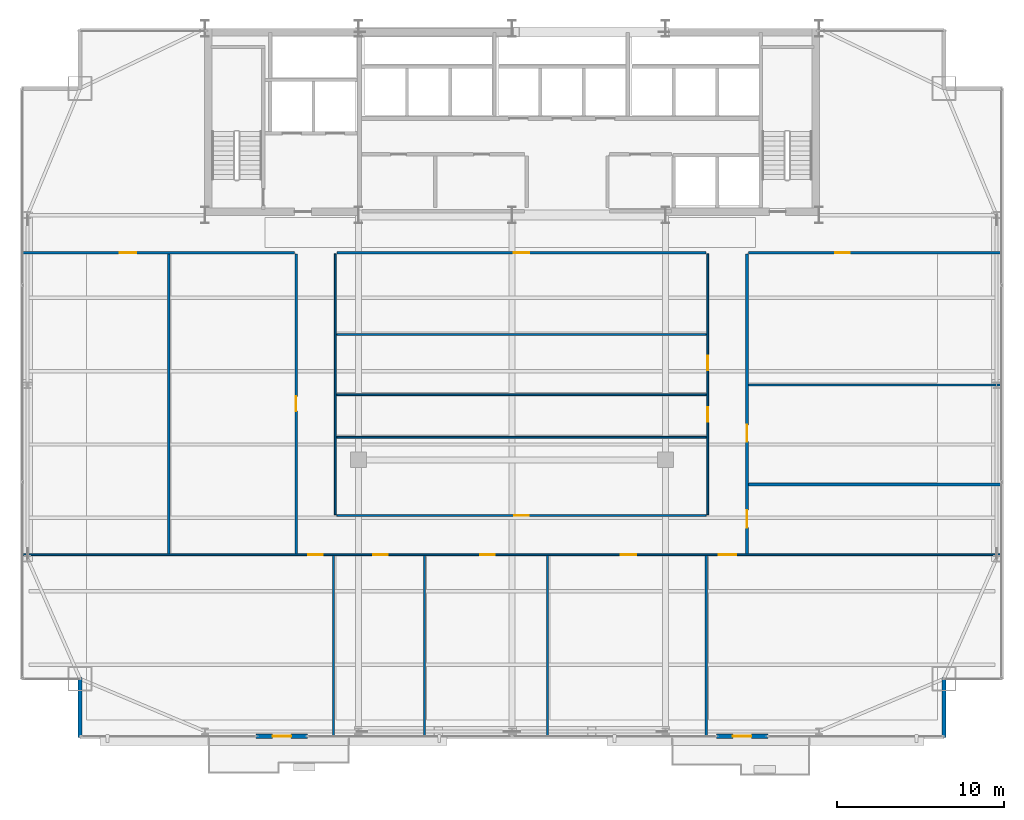
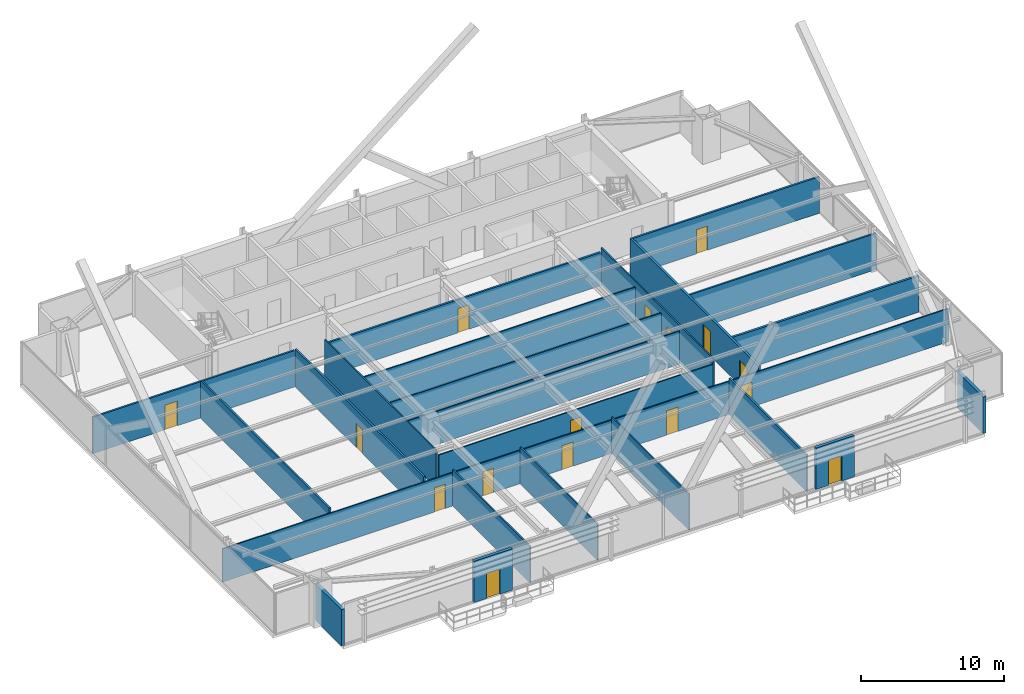
# One storey, part 33 of 37: 23 walls, 16 doors, 16 openings.
"""IFC4 building model written with IfcOpenShell, lengths in metres."""

from ifc_helpers import new_model, si_unit, direction, frame, frame_2d, origin, place, context, subcontext, project, spatial, rectangle, extrude, source, transform, mapped, material, layer, layer_set, type_object, type_shapes, element, fill, save


model = new_model("IFC4")

# Units and contexts
model_context = context("Model", 3, precision=1e-05, world=origin(), true_north=direction((0.0, 1.0)))
body_context = subcontext(model_context, "Body", "Model", "MODEL_VIEW")
ifc_project = project(units=[si_unit("LENGTHUNIT", "METRE"), si_unit("AREAUNIT", "SQUARE_METRE"), si_unit("VOLUMEUNIT", "CUBIC_METRE"), si_unit("PLANEANGLEUNIT", "RADIAN"), si_unit("MASSUNIT", "GRAM", prefix="KILO")], contexts=[model_context])

# Site, building, storey
site_placement = place(None, origin())
site = spatial("IfcSite", under=ifc_project, at=site_placement, CompositionType="ELEMENT")
building_placement = place(site_placement, origin())
building = spatial("IfcBuilding", under=site, at=building_placement, Name="Varnel Quay Broadcast Tower", CompositionType="ELEMENT")
storey_placement = place(building_placement, frame((0.0, 0.0, 103.0)))
storey = spatial("IfcBuildingStorey", under=building, at=storey_placement, Name="L24", CompositionType="ELEMENT", Elevation=103.0)

# Wall, opening, door
ifc_material_1 = material(Name="Precast Architectural Concrete C40/50", Category="concrete")
ifc_layer_1 = layer(ifc_material_1, 0.25, Name="Precast Architectural Concrete C40/50")
ifc_layer_set_1 = layer_set([ifc_layer_1], Name="Precast Architectural Concrete C40/50")
wall_type_1 = type_object("IfcWallType", Name="Wall_ExtTerrace250", PredefinedType="SOLIDWALL", material=ifc_layer_set_1)
wall_1_placement = place(storey_placement, frame((18.64990234375, 4.35009765625, 0.0), z_axis=(0.0, 0.0, 1.0), x_axis=(1.0, 0.0, 0.0)))
wall_1 = element("IfcWall", 1, at=wall_1_placement, inside=storey, type_object=wall_type_1, Name="L24 Terrace Access Wall 1", PredefinedType="SOLIDWALL", context=body_context, shape_type="SweptSolid", body=[
    extrude(rectangle(XDim=3.10009765625, YDim=0.25, at=frame_2d((1.550048828125, 0.0))), origin(), (0.0, 0.0, 1.0), 3.530029296875),
])
opening_1_placement = place(wall_1_placement, frame((1.0, 0.0, 0.0)))
opening_1 = element("IfcOpeningElement", 2, at=opening_1_placement, cuts=wall_1, Name="Opening TD-241", PredefinedType="OPENING", context=body_context, shape_type="SweptSolid", body=[
    extrude(rectangle(XDim=1.10009765625, YDim=2.14990234375, at=frame_2d((0.550048828125, 1.074951171875))), frame((0.0, 0.135009765625, 0.0), z_axis=(0.0, -1.0, 0.0), x_axis=(1.0, 0.0, 0.0)), (0.0, 0.0, 1.0), 0.27001953125),
])
ifc_material_2 = material(Name="Anodised Bronze Aluminium 6063-T6", Category="aluminium")
door_type_1 = type_object("IfcDoorType", Name="Door_ExtTerrace1100", OperationType="NOTDEFINED", PredefinedType="DOOR", material=ifc_material_2)
shared_shape_1 = source(origin(), body_context, "Body", "SweptSolid", [
    extrude(rectangle(XDim=1.10009765625, YDim=2.14990234375, at=frame_2d((0.550048828125, 1.074951171875))), frame((0.0, 0.02490234375, 0.0), z_axis=(0.0, -1.0, 0.0), x_axis=(1.0, 0.0, 0.0)), (0.0, 0.0, 1.0), 0.050048828125),
])
type_shapes(door_type_1, [shared_shape_1])
door_1_placement = place(opening_1_placement, frame((1.10009765625, 0.0, 0.0), z_axis=(0.0, 0.0, 1.0), x_axis=(-1.0, 0.0, 0.0)))
door_1 = element("IfcDoor", 3, at=door_1_placement, inside=storey, type_object=door_type_1, Name="L24 Terrace Door TD-241", OperationType="SINGLE_SWING_LEFT", OverallHeight=2.14990234375, OverallWidth=1.10009765625, PredefinedType="DOOR", context=body_context, shape_type="MappedRepresentation", body=[
    mapped(shared_shape_1, transform((0.0, 0.0, 0.0), x_axis=(1.0, 0.0, 0.0), y_axis=(0.0, 1.0, 0.0), z_axis=(0.0, 0.0, 1.0), scale=1.0)),
])
fill(opening_1, door_1)

wall_2_placement = place(storey_placement, frame((46.25, 4.35009765625, 0.0), z_axis=(0.0, 0.0, 1.0), x_axis=(1.0, 0.0, 0.0)))
wall_2 = element("IfcWall", 4, at=wall_2_placement, inside=storey, type_object=wall_type_1, Name="L24 Terrace Access Wall 2", PredefinedType="SOLIDWALL", context=body_context, shape_type="SweptSolid", body=[
    extrude(rectangle(XDim=3.10009765625, YDim=0.25, at=frame_2d((1.550048828125, 0.0))), origin(), (0.0, 0.0, 1.0), 3.530029296875),
])
opening_2_placement = place(wall_2_placement, frame((1.0, 0.0, 0.0)))
opening_2 = element("IfcOpeningElement", 5, at=opening_2_placement, cuts=wall_2, Name="Opening TD-242", PredefinedType="OPENING", context=body_context, shape_type="SweptSolid", body=[
    extrude(rectangle(XDim=1.10009765625, YDim=2.14990234375, at=frame_2d((0.550048828125, 1.074951171875))), frame((0.0, 0.135009765625, 0.0), z_axis=(0.0, -1.0, 0.0), x_axis=(1.0, 0.0, 0.0)), (0.0, 0.0, 1.0), 0.27001953125),
])
door_2_placement = place(opening_2_placement, frame((1.10009765625, 0.0, 0.0), z_axis=(0.0, 0.0, 1.0), x_axis=(-1.0, 0.0, 0.0)))
door_2 = element("IfcDoor", 6, at=door_2_placement, inside=storey, type_object=door_type_1, Name="L24 Terrace Door TD-242", OperationType="SINGLE_SWING_RIGHT", OverallHeight=2.14990234375, OverallWidth=1.10009765625, PredefinedType="DOOR", context=body_context, shape_type="MappedRepresentation", body=[
    mapped(shared_shape_1, transform((0.0, 0.0, 0.0), x_axis=(1.0, 0.0, 0.0), y_axis=(0.0, 1.0, 0.0), z_axis=(0.0, 0.0, 1.0), scale=1.0)),
])
fill(opening_2, door_2)

# Walls
for number, where, z_axis, x_axis, name in (
    (7, (8.10009765625, 4.280029296875, 0.0), (0.0, 0.0, 1.0), (0.0, 1.0, 0.0), "L24 Mega-Column Notch Cladding Wall NSW2"),
    (8, (59.89990234375, 4.280029296875, 0.0), (0.0, 0.0, 1.0), (0.0, 1.0, 0.0), "L24 Mega-Column Notch Cladding Wall NSE2"),
):
    element("IfcWall", number, at=place(storey_placement, frame(where, z_axis=z_axis, x_axis=x_axis)), inside=storey, type_object=wall_type_1, Name=name, PredefinedType="SOLIDWALL", context=body_context, shape_type="SweptSolid", body=[
        extrude(rectangle(XDim=3.599853515625, YDim=0.25, at=frame_2d((1.7998046875, 0.0))), origin(), (0.0, 0.0, 1.0), 3.10791015625),
    ])
ifc_material_3 = material(Name="Steel-Stud Fire-Rated Acoustic Gypsum Partition Assembly", Category="steel")
ifc_layer_2 = layer(ifc_material_3, 0.10498046875, Name="Steel-Stud Fire-Rated Acoustic Gypsum Partition Assembly")
ifc_layer_set_2 = layer_set([ifc_layer_2], Name="Steel-Stud Fire-Rated Acoustic Gypsum Partition Assembly")
wall_type_2 = type_object("IfcWallType", Name="Wall_Partition105", PredefinedType="PARTITIONING", material=ifc_layer_set_2)
wall_3_placement = place(storey_placement, frame((23.300048828125, 4.3798828125, 0.0), z_axis=(0.0, 0.0, 1.0), x_axis=(0.0, 1.0, 0.0)))
element("IfcWall", 9, at=wall_3_placement, inside=storey, type_object=wall_type_2, Name="L24 Media Tape Archive Store 1 Partition 8", PredefinedType="PARTITIONING", context=body_context, shape_type="SweptSolid", body=[
    extrude(rectangle(XDim=10.80810546875, YDim=0.10498046875, at=frame_2d((5.404052734375, 0.0))), origin(), (0.0, 0.0, 1.0), 3.10791015625),
])

# Wall, openings, doors
wall_4_placement = place(storey_placement, frame((4.679931640625, 15.239990234375, 0.0), z_axis=(0.0, 0.0, 1.0), x_axis=(1.0, 0.0, 0.0)))
wall_4 = element("IfcWall", 10, at=wall_4_placement, inside=storey, type_object=wall_type_2, Name="L24 Media Tape Archive Store 1 Partition 9", PredefinedType="PARTITIONING", context=body_context, shape_type="SweptSolid", body=[
    extrude(rectangle(XDim=58.64013671875, YDim=0.10498046875, at=frame_2d((29.320068359375, 0.0))), origin(), (0.0, 0.0, 1.0), 2.830078125),
])
opening_3_placement = place(wall_4_placement, frame((17.10498046875, 0.0, 0.0)))
opening_3 = element("IfcOpeningElement", 11, at=opening_3_placement, cuts=wall_4, Name="Opening D-L24-04", PredefinedType="OPENING", context=body_context, shape_type="SweptSolid", body=[
    extrude(rectangle(XDim=0.8798828125, YDim=2.06005859375, at=frame_2d((0.43994140625, 1.030029296875))), frame((0.0, 0.0625, 0.0), z_axis=(0.0, -1.0, 0.0), x_axis=(1.0, 0.0, 0.0)), (0.0, 0.0, 1.0), 0.125),
])
opening_4_placement = place(wall_4_placement, frame((21.0048828125, 0.0, 0.0)))
opening_4 = element("IfcOpeningElement", 12, at=opening_4_placement, cuts=wall_4, Name="Opening D-L24-05", PredefinedType="OPENING", context=body_context, shape_type="SweptSolid", body=[
    extrude(rectangle(XDim=0.8798828125, YDim=2.06005859375, at=frame_2d((0.43994140625, 1.030029296875))), frame((0.0, 0.0625, 0.0), z_axis=(0.0, -1.0, 0.0), x_axis=(1.0, 0.0, 0.0)), (0.0, 0.0, 1.0), 0.125),
])
opening_5_placement = place(wall_4_placement, frame((27.419921875, 0.0, 0.0)))
opening_5 = element("IfcOpeningElement", 13, at=opening_5_placement, cuts=wall_4, Name="Opening D-L24-06", PredefinedType="OPENING", context=body_context, shape_type="SweptSolid", body=[
    extrude(rectangle(XDim=0.8798828125, YDim=2.06005859375, at=frame_2d((0.43994140625, 1.030029296875))), frame((0.0, 0.0625, 0.0), z_axis=(0.0, -1.0, 0.0), x_axis=(1.0, 0.0, 0.0)), (0.0, 0.0, 1.0), 0.125),
])
opening_6_placement = place(wall_4_placement, frame((35.844970703125, 0.0, 0.0)))
opening_6 = element("IfcOpeningElement", 14, at=opening_6_placement, cuts=wall_4, Name="Opening D-L24-07", PredefinedType="OPENING", context=body_context, shape_type="SweptSolid", body=[
    extrude(rectangle(XDim=0.919921875, YDim=2.080078125, at=frame_2d((0.4599609375, 1.0400390625))), frame((0.0, 0.0625, 0.0), z_axis=(0.0, -1.0, 0.0), x_axis=(1.0, 0.0, 0.0)), (0.0, 0.0, 1.0), 0.125),
])
opening_7_placement = place(wall_4_placement, frame((41.7099609375, 0.0, 0.0)))
opening_7 = element("IfcOpeningElement", 15, at=opening_7_placement, cuts=wall_4, Name="Opening D-L24-08", PredefinedType="OPENING", context=body_context, shape_type="SweptSolid", body=[
    extrude(rectangle(XDim=1.050048828125, YDim=2.10009765625, at=frame_2d((0.52490234375, 1.050048828125))), frame((0.0, 0.0625, 0.0), z_axis=(0.0, -1.0, 0.0), x_axis=(1.0, 0.0, 0.0)), (0.0, 0.0, 1.0), 0.125),
])
ifc_material_4 = material(Name="Solid-Core Fire-Rated Acoustic Oak Veneer Door", Category="wood")
door_type_2 = type_object("IfcDoorType", Name="Door_Booth880", OperationType="NOTDEFINED", PredefinedType="DOOR", material=ifc_material_4)
shared_shape_2 = source(origin(), body_context, "Body", "SweptSolid", [
    extrude(rectangle(XDim=0.8798828125, YDim=2.06005859375, at=frame_2d((0.43994140625, 1.030029296875))), frame((0.0, 0.02490234375, 0.0), z_axis=(0.0, -1.0, 0.0), x_axis=(1.0, 0.0, 0.0)), (0.0, 0.0, 1.0), 0.050048828125),
])
type_shapes(door_type_2, [shared_shape_2])
door_3_placement = place(opening_3_placement, frame((0.8798828125, 0.0, 0.0), z_axis=(0.0, 0.0, 1.0), x_axis=(-1.0, 0.0, 0.0)))
door_3 = element("IfcDoor", 16, at=door_3_placement, inside=storey, type_object=door_type_2, Name="L24 Media Tape Archive Store 1 Door D-L24-04", OperationType="SINGLE_SWING_LEFT", OverallHeight=2.06005859375, OverallWidth=0.8798828125, PredefinedType="DOOR", context=body_context, shape_type="MappedRepresentation", body=[
    mapped(shared_shape_2, transform((0.0, 0.0, 0.0), x_axis=(1.0, 0.0, 0.0), y_axis=(0.0, 1.0, 0.0), z_axis=(0.0, 0.0, 1.0), scale=1.0)),
])
fill(opening_3, door_3)
door_4_placement = place(opening_4_placement, frame((0.8798828125, 0.0, 0.0), z_axis=(0.0, 0.0, 1.0), x_axis=(-1.0, 0.0, 0.0)))
door_4 = element("IfcDoor", 17, at=door_4_placement, inside=storey, type_object=door_type_2, Name="L24 Lens & Rigging Store 2 Door D-L24-05", OperationType="SINGLE_SWING_RIGHT", OverallHeight=2.06005859375, OverallWidth=0.8798828125, PredefinedType="DOOR", context=body_context, shape_type="MappedRepresentation", body=[
    mapped(shared_shape_2, transform((0.0, 0.0, 0.0), x_axis=(1.0, 0.0, 0.0), y_axis=(0.0, 1.0, 0.0), z_axis=(0.0, 0.0, 1.0), scale=1.0)),
])
fill(opening_4, door_4)
door_5_placement = place(opening_5_placement, frame((0.8798828125, 0.0, 0.0), z_axis=(0.0, 0.0, 1.0), x_axis=(-1.0, 0.0, 0.0)))
door_5 = element("IfcDoor", 18, at=door_5_placement, inside=storey, type_object=door_type_2, Name="L24 Ingest Vault Store 3 Door D-L24-06", OperationType="SINGLE_SWING_LEFT", OverallHeight=2.06005859375, OverallWidth=0.8798828125, PredefinedType="DOOR", context=body_context, shape_type="MappedRepresentation", body=[
    mapped(shared_shape_2, transform((0.0, 0.0, 0.0), x_axis=(1.0, 0.0, 0.0), y_axis=(0.0, 1.0, 0.0), z_axis=(0.0, 0.0, 1.0), scale=1.0)),
])
fill(opening_5, door_5)
door_type_3 = type_object("IfcDoorType", Name="Door_Office920", OperationType="NOTDEFINED", PredefinedType="DOOR", material=ifc_material_4)
shared_shape_3 = source(origin(), body_context, "Body", "SweptSolid", [
    extrude(rectangle(XDim=0.919921875, YDim=2.080078125, at=frame_2d((0.4599609375, 1.0400390625))), frame((0.0, 0.02490234375, 0.0), z_axis=(0.0, -1.0, 0.0), x_axis=(1.0, 0.0, 0.0)), (0.0, 0.0, 1.0), 0.050048828125),
])
type_shapes(door_type_3, [shared_shape_3])
door_6_placement = place(opening_6_placement, frame((0.919921875, 0.0, 0.0), z_axis=(0.0, 0.0, 1.0), x_axis=(-1.0, 0.0, 0.0)))
door_6 = element("IfcDoor", 19, at=door_6_placement, inside=storey, type_object=door_type_3, Name="L24 Color Timing Suite 4 Door D-L24-07", OperationType="SINGLE_SWING_RIGHT", OverallHeight=2.080078125, OverallWidth=0.919921875, PredefinedType="DOOR", context=body_context, shape_type="MappedRepresentation", body=[
    mapped(shared_shape_3, transform((0.0, 0.0, 0.0), x_axis=(1.0, 0.0, 0.0), y_axis=(0.0, 1.0, 0.0), z_axis=(0.0, 0.0, 1.0), scale=1.0)),
])
fill(opening_6, door_6)
door_type_4 = type_object("IfcDoorType", Name="Door_Meeting1050", OperationType="NOTDEFINED", PredefinedType="DOOR", material=ifc_material_4)
shared_shape_4 = source(origin(), body_context, "Body", "SweptSolid", [
    extrude(rectangle(XDim=1.050048828125, YDim=2.10009765625, at=frame_2d((0.52490234375, 1.050048828125))), frame((0.0, 0.02490234375, 0.0), z_axis=(0.0, -1.0, 0.0), x_axis=(1.0, 0.0, 0.0)), (0.0, 0.0, 1.0), 0.050048828125),
])
type_shapes(door_type_4, [shared_shape_4])
door_7_placement = place(opening_7_placement, frame((1.050048828125, 0.0, 0.0), z_axis=(0.0, 0.0, 1.0), x_axis=(-1.0, 0.0, 0.0)))
door_7 = element("IfcDoor", 20, at=door_7_placement, inside=storey, type_object=door_type_4, Name="L24 Screening Meeting Room 5 Door D-L24-08", OperationType="SINGLE_SWING_LEFT", OverallHeight=2.10009765625, OverallWidth=1.050048828125, PredefinedType="DOOR", context=body_context, shape_type="MappedRepresentation", body=[
    mapped(shared_shape_4, transform((0.0, 0.0, 0.0), x_axis=(1.0, 0.0, 0.0), y_axis=(0.0, 1.0, 0.0), z_axis=(0.0, 0.0, 1.0), scale=1.0)),
])
fill(opening_7, door_7)

# Walls
for number, where, z_axis, x_axis, name in (
    (21, (28.75, 4.3798828125, 0.0), (0.0, 0.0, 1.0), (0.0, 1.0, 0.0), "L24 Lens & Rigging Store 2 Partition 10"),
    (22, (36.1298828125, 4.3798828125, 0.0), (0.0, 0.0, 1.0), (0.0, 1.0, 0.0), "L24 Ingest Vault Store 3 Partition 11"),
):
    element("IfcWall", number, at=place(storey_placement, frame(where, z_axis=z_axis, x_axis=x_axis)), inside=storey, type_object=wall_type_2, Name=name, PredefinedType="PARTITIONING", context=body_context, shape_type="SweptSolid", body=[
        extrude(rectangle(XDim=10.80810546875, YDim=0.10498046875, at=frame_2d((5.404052734375, 0.0))), origin(), (0.0, 0.0, 1.0), 3.10791015625),
    ])

# Wall, opening, door
wall_5_placement = place(storey_placement, frame((23.5, 17.590087890625, 0.0), z_axis=(0.0, 0.0, 1.0), x_axis=(1.0, 0.0, 0.0)))
wall_5 = element("IfcWall", 23, at=wall_5_placement, inside=storey, type_object=wall_type_2, Name="L24 Media Tape Archive Store 8 Partition 16", PredefinedType="PARTITIONING", context=body_context, shape_type="SweptSolid", body=[
    extrude(rectangle(XDim=22.139892578125, YDim=0.10498046875, at=frame_2d((11.06982421875, 0.0))), origin(), (0.0, 0.0, 1.0), 2.830078125),
])
opening_8_placement = place(wall_5_placement, frame((10.6298828125, 0.0, 0.0)))
opening_8 = element("IfcOpeningElement", 24, at=opening_8_placement, cuts=wall_5, Name="Opening D-L24-11", PredefinedType="OPENING", context=body_context, shape_type="SweptSolid", body=[
    extrude(rectangle(XDim=0.8798828125, YDim=2.06005859375, at=frame_2d((0.43994140625, 1.030029296875))), frame((0.0, 0.0625, 0.0), z_axis=(0.0, -1.0, 0.0), x_axis=(1.0, 0.0, 0.0)), (0.0, 0.0, 1.0), 0.125),
])
door_8_placement = place(opening_8_placement, origin())
door_8 = element("IfcDoor", 25, at=door_8_placement, inside=storey, type_object=door_type_2, Name="L24 Media Tape Archive Store 8 Door D-L24-11", OperationType="SINGLE_SWING_RIGHT", OverallHeight=2.06005859375, OverallWidth=0.8798828125, PredefinedType="DOOR", context=body_context, shape_type="MappedRepresentation", body=[
    mapped(shared_shape_2, transform((0.0, 0.0, 0.0), x_axis=(1.0, 0.0, 0.0), y_axis=(0.0, 1.0, 0.0), z_axis=(0.0, 0.0, 1.0), scale=1.0)),
])
fill(opening_8, door_8)

# Wall, openings, doors
wall_6_placement = place(storey_placement, frame((45.739990234375, 17.64208984375, 0.0), z_axis=(0.0, 0.0, 1.0), x_axis=(0.0, 1.0, 0.0)))
wall_6 = element("IfcWall", 26, at=wall_6_placement, inside=storey, type_object=wall_type_2, Name="L24 Media Tape Archive Store 8 Partition 17", PredefinedType="PARTITIONING", context=body_context, shape_type="SweptSolid", body=[
    extrude(rectangle(XDim=15.6328125, YDim=0.10498046875, at=frame_2d((7.81640625, 0.0))), origin(), (0.0, 0.0, 1.0), 3.221923828125),
])
opening_9_placement = place(wall_6_placement, frame((5.572998046875, 0.0, 0.0)))
opening_9 = element("IfcOpeningElement", 27, at=opening_9_placement, cuts=wall_6, Name="Opening D-L24-12", PredefinedType="OPENING", context=body_context, shape_type="SweptSolid", body=[
    extrude(rectangle(XDim=0.8798828125, YDim=2.06005859375, at=frame_2d((0.43994140625, 1.030029296875))), frame((0.0, 0.0625, 0.0), z_axis=(0.0, -1.0, 0.0), x_axis=(1.0, 0.0, 0.0)), (0.0, 0.0, 1.0), 0.125),
])
opening_10_placement = place(wall_6_placement, frame((8.657958984375, 0.0, 0.0)))
opening_10 = element("IfcOpeningElement", 28, at=opening_10_placement, cuts=wall_6, Name="Opening D-L24-13", PredefinedType="OPENING", context=body_context, shape_type="SweptSolid", body=[
    extrude(rectangle(XDim=0.8798828125, YDim=2.06005859375, at=frame_2d((0.43994140625, 1.030029296875))), frame((0.0, 0.0625, 0.0), z_axis=(0.0, -1.0, 0.0), x_axis=(1.0, 0.0, 0.0)), (0.0, 0.0, 1.0), 0.125),
])
door_9_placement = place(opening_9_placement, origin())
door_9 = element("IfcDoor", 29, at=door_9_placement, inside=storey, type_object=door_type_2, Name="L24 Lens & Rigging Store 9 Door D-L24-12", OperationType="SINGLE_SWING_LEFT", OverallHeight=2.06005859375, OverallWidth=0.8798828125, PredefinedType="DOOR", context=body_context, shape_type="MappedRepresentation", body=[
    mapped(shared_shape_2, transform((0.0, 0.0, 0.0), x_axis=(1.0, 0.0, 0.0), y_axis=(0.0, 1.0, 0.0), z_axis=(0.0, 0.0, 1.0), scale=1.0)),
])
fill(opening_9, door_9)
door_10_placement = place(opening_10_placement, origin())
door_10 = element("IfcDoor", 30, at=door_10_placement, inside=storey, type_object=door_type_2, Name="L24 Ingest Vault Store 10 Door D-L24-13", OperationType="SINGLE_SWING_RIGHT", OverallHeight=2.06005859375, OverallWidth=0.8798828125, PredefinedType="DOOR", context=body_context, shape_type="MappedRepresentation", body=[
    mapped(shared_shape_2, transform((0.0, 0.0, 0.0), x_axis=(1.0, 0.0, 0.0), y_axis=(0.0, 1.0, 0.0), z_axis=(0.0, 0.0, 1.0), scale=1.0)),
])
fill(opening_10, door_10)

# Walls
wall_7_placement = place(storey_placement, frame((23.5, 22.280029296875, 0.0), z_axis=(0.0, 0.0, 1.0), x_axis=(1.0, 0.0, 0.0)))
element("IfcWall", 31, at=wall_7_placement, inside=storey, type_object=wall_type_2, Name="L24 Media Tape Archive Store 8 Partition 18", PredefinedType="PARTITIONING", context=body_context, shape_type="SweptSolid", body=[
    extrude(rectangle(XDim=22.139892578125, YDim=0.10498046875, at=frame_2d((11.06982421875, 0.0))), origin(), (0.0, 0.0, 1.0), 2.830078125),
])
wall_8_placement = place(storey_placement, frame((23.39990234375, 17.64208984375, 0.0), z_axis=(0.0, 0.0, 1.0), x_axis=(0.0, 1.0, 0.0)))
element("IfcWall", 32, at=wall_8_placement, inside=storey, type_object=wall_type_2, Name="L24 Media Tape Archive Store 8 Partition 19", PredefinedType="PARTITIONING", context=body_context, shape_type="SweptSolid", body=[
    extrude(rectangle(XDim=15.6328125, YDim=0.10498046875, at=frame_2d((7.81640625, 0.0))), origin(), (0.0, 0.0, 1.0), 3.221923828125),
])
for number, where, z_axis, x_axis, name in (
    (33, (23.5, 24.830078125, 0.0), (0.0, 0.0, 1.0), (1.0, 0.0, 0.0), "L24 Lens & Rigging Store 9 Partition 20"),
    (34, (23.5, 28.449951171875, 0.0), (0.0, 0.0, 1.0), (1.0, 0.0, 0.0), "L24 Ingest Vault Store 10 Partition 21"),
):
    element("IfcWall", number, at=place(storey_placement, frame(where, z_axis=z_axis, x_axis=x_axis)), inside=storey, type_object=wall_type_2, Name=name, PredefinedType="PARTITIONING", context=body_context, shape_type="SweptSolid", body=[
        extrude(rectangle(XDim=22.139892578125, YDim=0.10498046875, at=frame_2d((11.06982421875, 0.0))), origin(), (0.0, 0.0, 1.0), 2.830078125),
    ])
ifc_layer_3 = layer(ifc_material_3, 0.139892578125, Name="Steel-Stud Fire-Rated Acoustic Gypsum Partition Assembly")
ifc_layer_set_3 = layer_set([ifc_layer_3], Name="Steel-Stud Fire-Rated Acoustic Gypsum Partition Assembly")
wall_type_3 = type_object("IfcWallType", Name="Wall_Partition140", PredefinedType="PARTITIONING", material=ifc_layer_set_3)
wall_9_placement = place(storey_placement, frame((13.409912109375, 15.29296875, 0.0), z_axis=(0.0, 0.0, 1.0), x_axis=(0.0, 1.0, 0.0)))
element("IfcWall", 35, at=wall_9_placement, inside=storey, type_object=wall_type_3, Name="L24 Producer Lounge 6 Partition 13", PredefinedType="PARTITIONING", context=body_context, shape_type="SweptSolid", body=[
    extrude(rectangle(XDim=17.987060546875, YDim=0.139892578125, at=frame_2d((8.99365234375, 0.0))), origin(), (0.0, 0.0, 1.0), 3.221923828125),
])

# Wall, opening, door
wall_10_placement = place(storey_placement, frame((4.679931640625, 33.35009765625, 0.0), z_axis=(0.0, 0.0, 1.0), x_axis=(1.0, 0.0, 0.0)))
wall_10 = element("IfcWall", 36, at=wall_10_placement, inside=storey, type_object=wall_type_3, Name="L24 Producer Lounge 6 Partition 14", PredefinedType="PARTITIONING", context=body_context, shape_type="SweptSolid", body=[
    extrude(rectangle(XDim=16.27001953125, YDim=0.139892578125, at=frame_2d((8.135009765625, 0.0))), origin(), (0.0, 0.0, 1.0), 3.10791015625),
])
opening_11_placement = place(wall_10_placement, frame((5.800048828125, 0.0, 0.0)))
opening_11 = element("IfcOpeningElement", 37, at=opening_11_placement, cuts=wall_10, Name="Opening D-L24-09", PredefinedType="OPENING", context=body_context, shape_type="SweptSolid", body=[
    extrude(rectangle(XDim=1.0, YDim=2.10009765625, at=frame_2d((0.5, 1.050048828125))), frame((0.0, 0.080078125, 0.0), z_axis=(0.0, -1.0, 0.0), x_axis=(1.0, 0.0, 0.0)), (0.0, 0.0, 1.0), 0.159912109375),
])
door_type_5 = type_object("IfcDoorType", Name="Door_Exec1000", OperationType="NOTDEFINED", PredefinedType="DOOR", material=ifc_material_4)
shared_shape_5 = source(origin(), body_context, "Body", "SweptSolid", [
    extrude(rectangle(XDim=1.0, YDim=2.10009765625, at=frame_2d((0.5, 1.050048828125))), frame((0.0, 0.02490234375, 0.0), z_axis=(0.0, -1.0, 0.0), x_axis=(1.0, 0.0, 0.0)), (0.0, 0.0, 1.0), 0.050048828125),
])
type_shapes(door_type_5, [shared_shape_5])
door_11_placement = place(opening_11_placement, frame((1.0, 0.0, 0.0), z_axis=(0.0, 0.0, 1.0), x_axis=(-1.0, 0.0, 0.0)))
door_11 = element("IfcDoor", 38, at=door_11_placement, inside=storey, type_object=door_type_5, Name="L24 Producer Lounge 6 Door D-L24-09", OperationType="SINGLE_SWING_RIGHT", OverallHeight=2.10009765625, OverallWidth=1.0, PredefinedType="DOOR", context=body_context, shape_type="MappedRepresentation", body=[
    mapped(shared_shape_5, transform((0.0, 0.0, 0.0), x_axis=(1.0, 0.0, 0.0), y_axis=(0.0, 1.0, 0.0), z_axis=(0.0, 0.0, 1.0), scale=1.0)),
])
fill(opening_11, door_11)

# Walls
wall_11_placement = place(storey_placement, frame((48.18994140625, 25.409912109375, 0.0), z_axis=(0.0, 0.0, 1.0), x_axis=(1.0, 0.0, 0.0)))
element("IfcWall", 39, at=wall_11_placement, inside=storey, type_object=wall_type_3, Name="L24 Producer Lounge 13 Partition 25", PredefinedType="PARTITIONING", context=body_context, shape_type="SweptSolid", body=[
    extrude(rectangle(XDim=15.130126953125, YDim=0.139892578125, at=frame_2d((7.56494140625, 0.0))), origin(), (0.0, 0.0, 1.0), 3.10791015625),
])
ifc_layer_4 = layer(ifc_material_3, 0.14990234375, Name="Steel-Stud Fire-Rated Acoustic Gypsum Partition Assembly")
ifc_layer_set_4 = layer_set([ifc_layer_4], Name="Steel-Stud Fire-Rated Acoustic Gypsum Partition Assembly")
wall_type_4 = type_object("IfcWallType", Name="Wall_Partition150", PredefinedType="PARTITIONING", material=ifc_layer_set_4)
wall_12_placement = place(storey_placement, frame((45.639892578125, 4.3798828125, 0.0), z_axis=(0.0, 0.0, 1.0), x_axis=(0.0, 1.0, 0.0)))
element("IfcWall", 40, at=wall_12_placement, inside=storey, type_object=wall_type_4, Name="L24 Color Timing Suite 4 Partition 12", PredefinedType="PARTITIONING", context=body_context, shape_type="SweptSolid", body=[
    extrude(rectangle(XDim=10.80810546875, YDim=0.14990234375, at=frame_2d((5.404052734375, 0.0))), origin(), (0.0, 0.0, 1.0), 3.10791015625),
])

# Wall, opening, door
wall_13_placement = place(storey_placement, frame((21.050048828125, 15.29296875, 0.0), z_axis=(0.0, 0.0, 1.0), x_axis=(0.0, 1.0, 0.0)))
wall_13 = element("IfcWall", 41, at=wall_13_placement, inside=storey, type_object=wall_type_4, Name="L24 Tea Kitchen 7 Partition 15", PredefinedType="PARTITIONING", context=body_context, shape_type="SweptSolid", body=[
    extrude(rectangle(XDim=17.987060546875, YDim=0.14990234375, at=frame_2d((8.99365234375, 0.0))), origin(), (0.0, 0.0, 1.0), 3.221923828125),
])
opening_12_placement = place(wall_13_placement, frame((8.56201171875, 0.0, 0.0)))
opening_12 = element("IfcOpeningElement", 42, at=opening_12_placement, cuts=wall_13, Name="Opening D-L24-10", PredefinedType="OPENING", context=body_context, shape_type="SweptSolid", body=[
    extrude(rectangle(XDim=0.8798828125, YDim=2.06005859375, at=frame_2d((0.43994140625, 1.030029296875))), frame((0.0, 0.0849609375, 0.0), z_axis=(0.0, -1.0, 0.0), x_axis=(1.0, 0.0, 0.0)), (0.0, 0.0, 1.0), 0.169921875),
])
door_12_placement = place(opening_12_placement, origin())
door_12 = element("IfcDoor", 43, at=door_12_placement, inside=storey, type_object=door_type_2, Name="L24 Tea Kitchen 7 Door D-L24-10", OperationType="SINGLE_SWING_LEFT", OverallHeight=2.06005859375, OverallWidth=0.8798828125, PredefinedType="DOOR", context=body_context, shape_type="MappedRepresentation", body=[
    mapped(shared_shape_2, transform((0.0, 0.0, 0.0), x_axis=(1.0, 0.0, 0.0), y_axis=(0.0, 1.0, 0.0), z_axis=(0.0, 0.0, 1.0), scale=1.0)),
])
fill(opening_12, door_12)

wall_14_placement = place(storey_placement, frame((23.5, 33.35009765625, 0.0), z_axis=(0.0, 0.0, 1.0), x_axis=(1.0, 0.0, 0.0)))
wall_14 = element("IfcWall", 44, at=wall_14_placement, inside=storey, type_object=wall_type_4, Name="L24 Color Timing Suite 11 Partition 22", PredefinedType="PARTITIONING", context=body_context, shape_type="SweptSolid", body=[
    extrude(rectangle(XDim=22.139892578125, YDim=0.14990234375, at=frame_2d((11.06982421875, 0.0))), origin(), (0.0, 0.0, 1.0), 2.830078125),
])
opening_13_placement = place(wall_14_placement, frame((10.610107421875, 0.0, 0.0)))
opening_13 = element("IfcOpeningElement", 45, at=opening_13_placement, cuts=wall_14, Name="Opening D-L24-14", PredefinedType="OPENING", context=body_context, shape_type="SweptSolid", body=[
    extrude(rectangle(XDim=0.919921875, YDim=2.080078125, at=frame_2d((0.4599609375, 1.0400390625))), frame((0.0, 0.0849609375, 0.0), z_axis=(0.0, -1.0, 0.0), x_axis=(1.0, 0.0, 0.0)), (0.0, 0.0, 1.0), 0.169921875),
])
door_13_placement = place(opening_13_placement, frame((0.919921875, 0.0, 0.0), z_axis=(0.0, 0.0, 1.0), x_axis=(-1.0, 0.0, 0.0)))
door_13 = element("IfcDoor", 46, at=door_13_placement, inside=storey, type_object=door_type_3, Name="L24 Color Timing Suite 11 Door D-L24-14", OperationType="SINGLE_SWING_LEFT", OverallHeight=2.080078125, OverallWidth=0.919921875, PredefinedType="DOOR", context=body_context, shape_type="MappedRepresentation", body=[
    mapped(shared_shape_3, transform((0.0, 0.0, 0.0), x_axis=(1.0, 0.0, 0.0), y_axis=(0.0, 1.0, 0.0), z_axis=(0.0, 0.0, 1.0), scale=1.0)),
])
fill(opening_13, door_13)

wall_15_placement = place(storey_placement, frame((48.18994140625, 33.35009765625, 0.0), z_axis=(0.0, 0.0, 1.0), x_axis=(1.0, 0.0, 0.0)))
wall_15 = element("IfcWall", 47, at=wall_15_placement, inside=storey, type_object=wall_type_4, Name="L24 Tea Kitchen 14 Partition 26", PredefinedType="PARTITIONING", context=body_context, shape_type="SweptSolid", body=[
    extrude(rectangle(XDim=15.130126953125, YDim=0.14990234375, at=frame_2d((7.56494140625, 0.0))), origin(), (0.0, 0.0, 1.0), 3.10791015625),
])
opening_14_placement = place(wall_15_placement, frame((5.18994140625, 0.0, 0.0)))
opening_14 = element("IfcOpeningElement", 48, at=opening_14_placement, cuts=wall_15, Name="Opening D-L24-17", PredefinedType="OPENING", context=body_context, shape_type="SweptSolid", body=[
    extrude(rectangle(XDim=0.8798828125, YDim=2.06005859375, at=frame_2d((0.43994140625, 1.030029296875))), frame((0.0, 0.0849609375, 0.0), z_axis=(0.0, -1.0, 0.0), x_axis=(1.0, 0.0, 0.0)), (0.0, 0.0, 1.0), 0.169921875),
])
door_14_placement = place(opening_14_placement, frame((0.8798828125, 0.0, 0.0), z_axis=(0.0, 0.0, 1.0), x_axis=(-1.0, 0.0, 0.0)))
door_14 = element("IfcDoor", 49, at=door_14_placement, inside=storey, type_object=door_type_2, Name="L24 Tea Kitchen 14 Door D-L24-17", OperationType="SINGLE_SWING_RIGHT", OverallHeight=2.06005859375, OverallWidth=0.8798828125, PredefinedType="DOOR", context=body_context, shape_type="MappedRepresentation", body=[
    mapped(shared_shape_2, transform((0.0, 0.0, 0.0), x_axis=(1.0, 0.0, 0.0), y_axis=(0.0, 1.0, 0.0), z_axis=(0.0, 0.0, 1.0), scale=1.0)),
])
fill(opening_14, door_14)

# Wall
ifc_layer_5 = layer(ifc_material_3, 0.175048828125, Name="Steel-Stud Fire-Rated Acoustic Gypsum Partition Assembly")
ifc_layer_set_5 = layer_set([ifc_layer_5], Name="Steel-Stud Fire-Rated Acoustic Gypsum Partition Assembly")
wall_type_5 = type_object("IfcWallType", Name="Wall_Partition175", PredefinedType="PARTITIONING", material=ifc_layer_set_5)
wall_16_placement = place(storey_placement, frame((48.18994140625, 19.43994140625, 0.0), z_axis=(0.0, 0.0, 1.0), x_axis=(1.0, 0.0, 0.0)))
element("IfcWall", 50, at=wall_16_placement, inside=storey, type_object=wall_type_5, Name="L24 Screening Meeting Room 12 Partition 23", PredefinedType="PARTITIONING", context=body_context, shape_type="SweptSolid", body=[
    extrude(rectangle(XDim=15.130126953125, YDim=0.175048828125, at=frame_2d((7.56494140625, 0.0))), origin(), (0.0, 0.0, 1.0), 3.10791015625),
])

# Wall, openings, doors
wall_17_placement = place(storey_placement, frame((48.090087890625, 15.29296875, 0.0), z_axis=(0.0, 0.0, 1.0), x_axis=(0.0, 1.0, 0.0)))
wall_17 = element("IfcWall", 51, at=wall_17_placement, inside=storey, type_object=wall_type_5, Name="L24 Screening Meeting Room 12 Partition 24", PredefinedType="PARTITIONING", context=body_context, shape_type="SweptSolid", body=[
    extrude(rectangle(XDim=17.98193359375, YDim=0.175048828125, at=frame_2d((8.990966796875, 0.0))), origin(), (0.0, 0.0, 1.0), 3.221923828125),
])
opening_15_placement = place(wall_17_placement, frame((1.572021484375, 0.0, 0.0)))
opening_15 = element("IfcOpeningElement", 52, at=opening_15_placement, cuts=wall_17, Name="Opening D-L24-15", PredefinedType="OPENING", context=body_context, shape_type="SweptSolid", body=[
    extrude(rectangle(XDim=1.050048828125, YDim=2.10009765625, at=frame_2d((0.52490234375, 1.050048828125))), frame((0.0, 0.09765625, 0.0), z_axis=(0.0, -1.0, 0.0), x_axis=(1.0, 0.0, 0.0)), (0.0, 0.0, 1.0), 0.195068359375),
])
opening_16_placement = place(wall_17_placement, frame((6.73193359375, 0.0, 0.0)))
opening_16 = element("IfcOpeningElement", 53, at=opening_16_placement, cuts=wall_17, Name="Opening D-L24-16", PredefinedType="OPENING", context=body_context, shape_type="SweptSolid", body=[
    extrude(rectangle(XDim=1.0, YDim=2.10009765625, at=frame_2d((0.5, 1.050048828125))), frame((0.0, 0.09765625, 0.0), z_axis=(0.0, -1.0, 0.0), x_axis=(1.0, 0.0, 0.0)), (0.0, 0.0, 1.0), 0.195068359375),
])
door_15_placement = place(opening_16_placement, frame((1.0, 0.0, 0.0), z_axis=(0.0, 0.0, 1.0), x_axis=(-1.0, 0.0, 0.0)))
door_15 = element("IfcDoor", 54, at=door_15_placement, inside=storey, type_object=door_type_5, Name="L24 Producer Lounge 13 Door D-L24-16", OperationType="SINGLE_SWING_LEFT", OverallHeight=2.10009765625, OverallWidth=1.0, PredefinedType="DOOR", context=body_context, shape_type="MappedRepresentation", body=[
    mapped(shared_shape_5, transform((0.0, 0.0, 0.0), x_axis=(1.0, 0.0, 0.0), y_axis=(0.0, 1.0, 0.0), z_axis=(0.0, 0.0, 1.0), scale=1.0)),
])
fill(opening_16, door_15)
door_16_placement = place(opening_15_placement, frame((1.050048828125, 0.0, 0.0), z_axis=(0.0, 0.0, 1.0), x_axis=(-1.0, 0.0, 0.0)))
door_16 = element("IfcDoor", 55, at=door_16_placement, inside=storey, type_object=door_type_4, Name="L24 Screening Meeting Room 12 Door D-L24-15", OperationType="SINGLE_SWING_RIGHT", OverallHeight=2.10009765625, OverallWidth=1.050048828125, PredefinedType="DOOR", context=body_context, shape_type="MappedRepresentation", body=[
    mapped(shared_shape_4, transform((0.0, 0.0, 0.0), x_axis=(1.0, 0.0, 0.0), y_axis=(0.0, 1.0, 0.0), z_axis=(0.0, 0.0, 1.0), scale=1.0)),
])
fill(opening_15, door_16)

save(model, "model.ifc")
